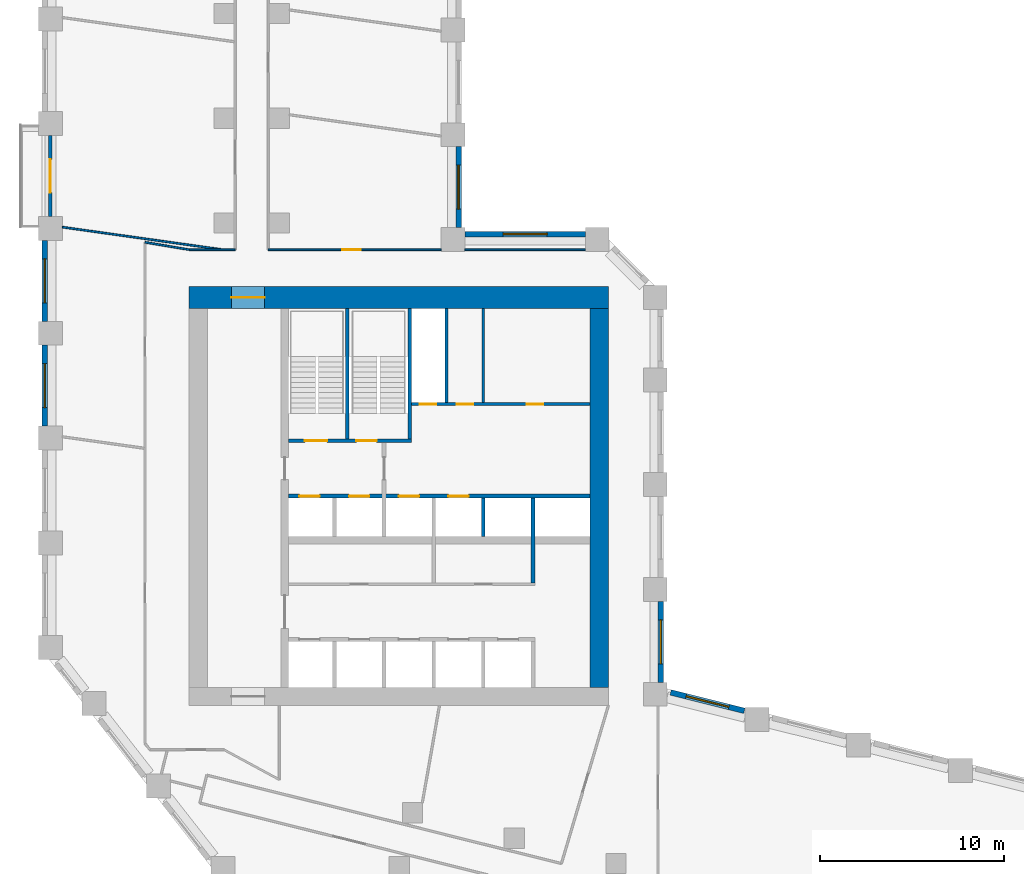
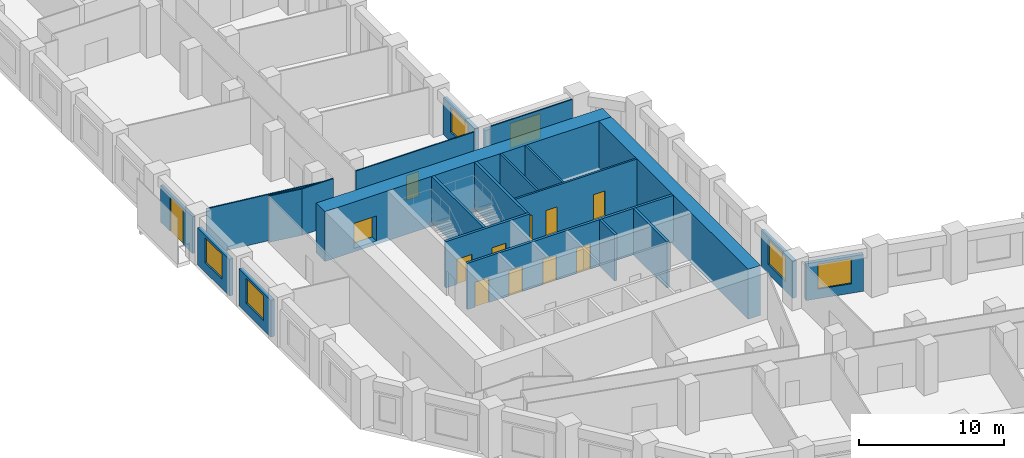
# One storey, part 5 of 10: 23 walls, 12 doors, 6 windows, 18 openings.
"""IFC4 building model written with IfcOpenShell, lengths in metres."""

from ifc_helpers import new_model, si_unit, direction, frame, frame_2d, origin, place, context, subcontext, project, spatial, rectangle, extrude, material, layer, layer_set, type_object, element, fill, save


model = new_model("IFC4")

# Units and contexts
model_context = context("Model", 3, precision=1e-05, world=origin(), true_north=direction((0.0, 1.0)))
body_context = subcontext(model_context, "Body", "Model", "MODEL_VIEW")
ifc_project = project(units=[si_unit("LENGTHUNIT", "METRE"), si_unit("AREAUNIT", "SQUARE_METRE"), si_unit("VOLUMEUNIT", "CUBIC_METRE"), si_unit("PLANEANGLEUNIT", "RADIAN"), si_unit("MASSUNIT", "GRAM", prefix="KILO")], contexts=[model_context])

# Site, building, storey
site_placement = place(None, origin())
site = spatial("IfcSite", under=ifc_project, at=site_placement, CompositionType="ELEMENT")
building_placement = place(site_placement, origin())
building = spatial("IfcBuilding", under=site, at=building_placement, Name="Meshkara Civic Tower", CompositionType="ELEMENT")
storey_placement = place(building_placement, frame((0.0, 0.0, 109.800048828125)))
storey = spatial("IfcBuildingStorey", under=building, at=storey_placement, Name="L24", CompositionType="ELEMENT", Elevation=109.800048828125)

# Wall, openings, doors
ifc_material_1 = material(Name="Blockwork", Category="masonry")
ifc_layer_1 = layer(ifc_material_1, 0.14990234375)
ifc_layer_set_1 = layer_set([ifc_layer_1], Name="Core partition 150")
wall_type_1 = type_object("IfcWallType", Name="Core partition 150", PredefinedType="PARTITIONING", material=ifc_layer_set_1)
wall_1_placement = place(storey_placement, frame((20.10009765625, 30.5, 0.0), z_axis=(0.0, 0.0, 1.0), x_axis=(1.0, 0.0, 0.0)))
wall_1 = element("IfcWall", 1, at=wall_1_placement, inside=storey, type_object=wall_type_1, Name="L24-C010", PredefinedType="PARTITIONING", context=body_context, shape_type="SweptSolid", body=[
    extrude(rectangle(XDim=9.699951171875, YDim=0.14990234375, at=frame_2d((4.85009765625, 0.0))), origin(), (0.0, 0.0, 1.0), 3.89990234375),
])
opening_1_placement = place(wall_1_placement, frame((0.449951171875, 0.0, 0.0)))
opening_1 = element("IfcOpeningElement", 2, at=opening_1_placement, cuts=wall_1, Name="Opening L24-K012", PredefinedType="OPENING", context=body_context, shape_type="SweptSolid", body=[
    extrude(rectangle(XDim=0.89990234375, YDim=2.10009765625, at=frame_2d((0.449951171875, 1.050048828125))), frame((0.0, 0.0849609375, 0.0), z_axis=(0.0, -1.0, 0.0), x_axis=(1.0, 0.0, 0.0)), (0.0, 0.0, 1.0), 0.169921875),
])
opening_2_placement = place(wall_1_placement, frame((2.449951171875, 0.0, 0.0)))
opening_2 = element("IfcOpeningElement", 3, at=opening_2_placement, cuts=wall_1, Name="Opening L24-K013", PredefinedType="OPENING", context=body_context, shape_type="SweptSolid", body=[
    extrude(rectangle(XDim=0.89990234375, YDim=2.10009765625, at=frame_2d((0.449951171875, 1.050048828125))), frame((0.0, 0.0849609375, 0.0), z_axis=(0.0, -1.0, 0.0), x_axis=(1.0, 0.0, 0.0)), (0.0, 0.0, 1.0), 0.169921875),
])
opening_3_placement = place(wall_1_placement, frame((6.25, 0.0, 0.0)))
opening_3 = element("IfcOpeningElement", 4, at=opening_3_placement, cuts=wall_1, Name="Opening L24-K014", PredefinedType="OPENING", context=body_context, shape_type="SweptSolid", body=[
    extrude(rectangle(XDim=0.89990234375, YDim=2.10009765625, at=frame_2d((0.449951171875, 1.050048828125))), frame((0.0, 0.0849609375, 0.0), z_axis=(0.0, -1.0, 0.0), x_axis=(1.0, 0.0, 0.0)), (0.0, 0.0, 1.0), 0.169921875),
])
ifc_material_2 = material(Name="Timber door leaf in steel frame", Category="steel")
door_type_1 = type_object("IfcDoorType", Name="Core room door 900", OperationType="SINGLE_SWING_LEFT", PredefinedType="DOOR", material=ifc_material_2)
door_1_placement = place(opening_3_placement, origin())
door_1 = element("IfcDoor", 5, at=door_1_placement, inside=storey, type_object=door_type_1, Name="L24-K014", OperationType="SINGLE_SWING_RIGHT", OverallHeight=2.10009765625, OverallWidth=0.89990234375, PredefinedType="DOOR", context=body_context, shape_type="SweptSolid", body=[
    extrude(rectangle(XDim=0.89990234375, YDim=2.10009765625, at=frame_2d((0.449951171875, 1.050048828125))), frame((0.0, 0.02490234375, 0.0), z_axis=(0.0, -1.0, 0.0), x_axis=(1.0, 0.0, 0.0)), (0.0, 0.0, 1.0), 0.050048828125),
])
fill(opening_3, door_1)
ifc_material_3 = material(Name="Fire-rated door leaf in steel frame", Category="steel")
door_type_2 = type_object("IfcDoorType", Name="Riser door 900", OperationType="SINGLE_SWING_LEFT", PredefinedType="DOOR", material=ifc_material_3)
door_2_placement = place(opening_1_placement, origin())
door_2 = element("IfcDoor", 6, at=door_2_placement, inside=storey, type_object=door_type_2, Name="L24-K012", OperationType="SINGLE_SWING_RIGHT", OverallHeight=2.10009765625, OverallWidth=0.89990234375, PredefinedType="DOOR", context=body_context, shape_type="SweptSolid", body=[
    extrude(rectangle(XDim=0.89990234375, YDim=2.10009765625, at=frame_2d((0.449951171875, 1.050048828125))), frame((0.0, 0.02490234375, 0.0), z_axis=(0.0, -1.0, 0.0), x_axis=(1.0, 0.0, 0.0)), (0.0, 0.0, 1.0), 0.050048828125),
])
fill(opening_1, door_2)
ifc_material_4 = material(Name="Timber door leaf in steel frame", Category="steel")
door_type_3 = type_object("IfcDoorType", Name="WC door 900", OperationType="SINGLE_SWING_LEFT", PredefinedType="DOOR", material=ifc_material_4)
door_3_placement = place(opening_2_placement, origin())
door_3 = element("IfcDoor", 7, at=door_3_placement, inside=storey, type_object=door_type_3, Name="L24-K013", OperationType="SINGLE_SWING_LEFT", OverallHeight=2.10009765625, OverallWidth=0.89990234375, PredefinedType="DOOR", context=body_context, shape_type="SweptSolid", body=[
    extrude(rectangle(XDim=0.89990234375, YDim=2.10009765625, at=frame_2d((0.449951171875, 1.050048828125))), frame((0.0, 0.02490234375, 0.0), z_axis=(0.0, -1.0, 0.0), x_axis=(1.0, 0.0, 0.0)), (0.0, 0.0, 1.0), 0.050048828125),
])
fill(opening_2, door_3)

# Walls
for number, where, z_axis, x_axis, name in (
    (8, (22.0, 30.574951171875, 0.0), (0.0, 0.0, 1.0), (0.0, 1.0, 0.0), "L24-C020"),
    (9, (24.0, 30.574951171875, 0.0), (0.0, 0.0, 1.0), (0.0, 1.0, 0.0), "L24-C023"),
):
    element("IfcWall", number, at=place(storey_placement, frame(where, z_axis=z_axis, x_axis=x_axis)), inside=storey, type_object=wall_type_1, Name=name, PredefinedType="PARTITIONING", context=body_context, shape_type="SweptSolid", body=[
        extrude(rectangle(XDim=5.125, YDim=0.14990234375, at=frame_2d((2.5625, 0.0))), origin(), (0.0, 0.0, 1.0), 3.89990234375),
    ])
ifc_material_5 = material(Name="Concrete C70", Category="concrete")
ifc_layer_2 = layer(ifc_material_5, 1.0)
ifc_layer_set_2 = layer_set([ifc_layer_2], Name="Core ring wall 1000 C70")
wall_type_2 = type_object("IfcWallType", Name="Core ring wall 1000 C70", PredefinedType="SHEAR", material=ifc_layer_set_2)
wall_2_placement = place(storey_placement, frame((30.300048828125, 15.10009765625, -0.300048828125), z_axis=(0.0, 0.0, 1.0), x_axis=(0.0, 1.0, 0.0)))
element("IfcWall", 10, at=wall_2_placement, inside=storey, type_object=wall_type_2, Name="L24-C004", PredefinedType="SHEAR", context=body_context, shape_type="SweptSolid", body=[
    extrude(rectangle(XDim=20.599853515625, YDim=1.0, at=frame_2d((10.2998046875, 0.0))), origin(), (0.0, 0.0, 1.0), 4.199951171875),
])

# Wall, opening, door
ifc_material_6 = material(Name="Concrete C70", Category="concrete")
ifc_layer_3 = layer(ifc_material_6, 1.199951171875)
ifc_layer_set_3 = layer_set([ifc_layer_3], Name="Core ring wall 1200 C70")
wall_type_3 = type_object("IfcWallType", Name="Core ring wall 1200 C70", PredefinedType="SHEAR", material=ifc_layer_set_3)
wall_3_placement = place(storey_placement, frame((8.0, 36.300048828125, -0.300048828125), z_axis=(0.0, 0.0, 1.0), x_axis=(1.0, 0.0, 0.0)))
wall_3 = element("IfcWall", 11, at=wall_3_placement, inside=storey, type_object=wall_type_3, Name="L24-C002", PredefinedType="SHEAR", context=body_context, shape_type="SweptSolid", body=[
    extrude(rectangle(XDim=22.800048828125, YDim=1.199951171875, at=frame_2d((11.39990234375, 0.0))), origin(), (0.0, 0.0, 1.0), 4.199951171875),
])
opening_4_placement = place(wall_3_placement, frame((2.300048828125, 0.0, 0.300048828125)))
opening_4 = element("IfcOpeningElement", 12, at=opening_4_placement, cuts=wall_3, Name="Opening L24-K020", PredefinedType="OPENING", context=body_context, shape_type="SweptSolid", body=[
    extrude(rectangle(XDim=1.800048828125, YDim=2.10009765625, at=frame_2d((0.89990234375, 1.050048828125))), frame((0.0, 0.60986328125, 0.0), z_axis=(0.0, -1.0, 0.0), x_axis=(1.0, 0.0, 0.0)), (0.0, 0.0, 1.0), 1.219970703125),
])
ifc_material_7 = material(Name="Fire-rated door leaf in steel frame", Category="steel")
door_type_4 = type_object("IfcDoorType", Name="Core double door 1800 EI 60", OperationType="DOUBLE_DOOR_SINGLE_SWING", PredefinedType="DOOR", material=ifc_material_7)
door_4_placement = place(opening_4_placement, origin())
door_4 = element("IfcDoor", 13, at=door_4_placement, inside=storey, type_object=door_type_4, Name="L24-K020", OperationType="DOUBLE_DOOR_SINGLE_SWING", OverallHeight=2.10009765625, OverallWidth=1.800048828125, PredefinedType="DOOR", context=body_context, shape_type="SweptSolid", body=[
    extrude(rectangle(XDim=1.800048828125, YDim=2.10009765625, at=frame_2d((0.89990234375, 1.050048828125))), frame((0.0, 0.02490234375, 0.0), z_axis=(0.0, -1.0, 0.0), x_axis=(1.0, 0.0, 0.0)), (0.0, 0.0, 1.0), 0.050048828125),
])
fill(opening_4, door_4)

# Walls
ifc_material_8 = material(Name="Corridor wall 100")
ifc_layer_4 = layer(ifc_material_8, 0.10009765625)
ifc_layer_set_4 = layer_set([ifc_layer_4], Name="Corridor wall 100")
wall_type_4 = type_object("IfcWallType", Name="Corridor wall 100", PredefinedType="PARTITIONING", material=ifc_layer_set_4)
wall_4_placement = place(storey_placement, frame((8.0, 38.89990234375, 0.0), z_axis=(0.0, 0.0, 1.0), x_axis=(1.0, 0.0, 0.0)))
element("IfcWall", 14, at=wall_4_placement, inside=storey, type_object=wall_type_4, Name="L24-W007", PredefinedType="PARTITIONING", context=body_context, shape_type="SweptSolid", body=[
    extrude(rectangle(XDim=2.5, YDim=0.10009765625, at=frame_2d((1.25, 0.0))), origin(), (0.0, 0.0, 1.0), 3.89990234375),
])
wall_5_placement = place(storey_placement, frame((8.0, 38.89990234375, 0.0), z_axis=(0.0, 0.0, 1.0), x_axis=(-0.986383073668, 0.16446407505, 0.0)))
element("IfcWall", 15, at=wall_5_placement, inside=storey, type_object=wall_type_4, Name="L24-W008", PredefinedType="PARTITIONING", context=body_context, shape_type="SweptSolid", body=[
    extrude(rectangle(XDim=2.43310546875, YDim=0.10009765625, at=frame_2d((1.216552734375, 0.0))), origin(), (0.0, 0.0, 1.0), 3.89990234375),
])

# Wall, opening, door
wall_6_placement = place(storey_placement, frame((21.699951171875, 38.89990234375, 0.0), z_axis=(0.0, 0.0, 1.0), x_axis=(-1.0, 0.0, 0.0)))
wall_6 = element("IfcWall", 16, at=wall_6_placement, inside=storey, type_object=wall_type_4, Name="L24-W019", PredefinedType="PARTITIONING", context=body_context, shape_type="SweptSolid", body=[
    extrude(rectangle(XDim=9.39990234375, YDim=0.10009765625, at=frame_2d((4.699951171875, 0.0))), origin(), (0.0, 0.0, 1.0), 3.89990234375),
])
opening_5_placement = place(wall_6_placement, frame((4.3798828125, 0.0, 0.0)))
opening_5 = element("IfcOpeningElement", 17, at=opening_5_placement, cuts=wall_6, Name="Opening L24-D017", PredefinedType="OPENING", context=body_context, shape_type="SweptSolid", body=[
    extrude(rectangle(XDim=1.0, YDim=2.10009765625, at=frame_2d((0.5, 1.050048828125))), frame((0.0, 0.06005859375, 0.0), z_axis=(0.0, -1.0, 0.0), x_axis=(1.0, 0.0, 0.0)), (0.0, 0.0, 1.0), 0.1201171875),
])
ifc_material_9 = material(Name="Door 1000 x 2100")
door_type_5 = type_object("IfcDoorType", Name="Door 1000 x 2100", OperationType="SINGLE_SWING_LEFT", PredefinedType="DOOR", material=ifc_material_9)
door_5_placement = place(opening_5_placement, origin())
door_5 = element("IfcDoor", 18, at=door_5_placement, inside=storey, type_object=door_type_5, Name="L24-D017", OperationType="SINGLE_SWING_LEFT", OverallHeight=2.10009765625, OverallWidth=1.0, PredefinedType="DOOR", context=body_context, shape_type="SweptSolid", body=[
    extrude(rectangle(XDim=1.0, YDim=2.10009765625, at=frame_2d((0.5, 1.050048828125))), frame((0.0, 0.02490234375, 0.0), z_axis=(0.0, -1.0, 0.0), x_axis=(1.0, 0.0, 0.0)), (0.0, 0.0, 1.0), 0.050048828125),
])
fill(opening_5, door_5)

# Wall
wall_7_placement = place(storey_placement, frame((29.5439453125, 38.89990234375, 0.0), z_axis=(0.0, 0.0, 1.0), x_axis=(-1.0, 0.0, 0.0)))
element("IfcWall", 19, at=wall_7_placement, inside=storey, type_object=wall_type_4, Name="L24-W020", PredefinedType="PARTITIONING", context=body_context, shape_type="SweptSolid", body=[
    extrude(rectangle(XDim=6.5439453125, YDim=0.10009765625, at=frame_2d((3.27197265625, 0.0))), origin(), (0.0, 0.0, 1.0), 3.89990234375),
])

# Wall, opening, window
ifc_material_10 = material(Name="Insulated infill panel with bronze anodised aluminium cladding", Category="aluminium")
ifc_layer_5 = layer(ifc_material_10, 0.300048828125)
ifc_layer_set_5 = layer_set([ifc_layer_5], Name="EXTERNAL INFILL WALL 300")
wall_type_5 = type_object("IfcWallType", Name="EXTERNAL INFILL WALL 300", PredefinedType="SOLIDWALL", material=ifc_layer_set_5)
wall_8_placement = place(storey_placement, frame((38.18896484375, 13.822021484375, 0.0), z_axis=(0.0, 0.0, 1.0), x_axis=(-0.970281616392, 0.241978480223, 0.0)))
wall_8 = element("IfcWall", 20, at=wall_8_placement, inside=storey, type_object=wall_type_5, Name="External wall", PredefinedType="SOLIDWALL", context=body_context, shape_type="SweptSolid", body=[
    extrude(rectangle(XDim=4.12451171875, YDim=0.300048828125, at=frame_2d((2.062255859375, 0.0))), origin(), (0.0, 0.0, 1.0), 3.099853515625),
])
opening_6_placement = place(wall_8_placement, frame((0.862060546875, 0.0, 0.800048828125)))
opening_6 = element("IfcOpeningElement", 21, at=opening_6_placement, cuts=wall_8, Name="Opening W7", PredefinedType="OPENING", context=body_context, shape_type="SweptSolid", body=[
    extrude(rectangle(XDim=2.39990234375, YDim=2.10009765625, at=frame_2d((1.199951171875, 1.050048828125))), frame((0.0, 0.159912109375, 0.0), z_axis=(0.0, -1.0, 0.0), x_axis=(1.0, 0.0, 0.0)), (0.0, 0.0, 1.0), 0.320068359375),
])
ifc_material_11 = material(Name="Tinted double glazing", Category="glass")
window_type = type_object("IfcWindowType", Name="WINDOW 2400x2100", PartitioningType="DOUBLE_PANEL_VERTICAL", PredefinedType="WINDOW", material=ifc_material_11)
window_1_placement = place(opening_6_placement, origin())
window_1 = element("IfcWindow", 22, at=window_1_placement, inside=storey, type_object=window_type, Name="Window", OverallHeight=2.10009765625, OverallWidth=2.39990234375, PartitioningType="DOUBLE_PANEL_VERTICAL", PredefinedType="WINDOW", context=body_context, shape_type="SweptSolid", body=[
    extrude(rectangle(XDim=2.39990234375, YDim=2.10009765625, at=frame_2d((1.199951171875, 1.050048828125))), frame((0.0, 0.030029296875, 0.0), z_axis=(0.0, -1.0, 0.0), x_axis=(1.0, 0.0, 0.0)), (0.0, 0.0, 1.0), 0.06005859375),
])
fill(opening_6, window_1)

wall_9_placement = place(storey_placement, frame((33.64990234375, 15.368896484375, 0.0), z_axis=(0.0, 0.0, 1.0), x_axis=(0.0, 1.0, 0.0)))
wall_9 = element("IfcWall", 23, at=wall_9_placement, inside=storey, type_object=wall_type_5, Name="External wall", PredefinedType="SOLIDWALL", context=body_context, shape_type="SweptSolid", body=[
    extrude(rectangle(XDim=4.400146484375, YDim=0.300048828125, at=frame_2d((2.2001953125, 0.0))), origin(), (0.0, 0.0, 1.0), 3.099853515625),
])
opening_7_placement = place(wall_9_placement, frame((1.0, 0.0, 0.800048828125)))
opening_7 = element("IfcOpeningElement", 24, at=opening_7_placement, cuts=wall_9, Name="Opening W7", PredefinedType="OPENING", context=body_context, shape_type="SweptSolid", body=[
    extrude(rectangle(XDim=2.39990234375, YDim=2.10009765625, at=frame_2d((1.199951171875, 1.050048828125))), frame((0.0, 0.159912109375, 0.0), z_axis=(0.0, -1.0, 0.0), x_axis=(1.0, 0.0, 0.0)), (0.0, 0.0, 1.0), 0.320068359375),
])
window_2_placement = place(opening_7_placement, origin())
window_2 = element("IfcWindow", 25, at=window_2_placement, inside=storey, type_object=window_type, Name="Window", OverallHeight=2.10009765625, OverallWidth=2.39990234375, PartitioningType="DOUBLE_PANEL_VERTICAL", PredefinedType="WINDOW", context=body_context, shape_type="SweptSolid", body=[
    extrude(rectangle(XDim=2.39990234375, YDim=2.10009765625, at=frame_2d((1.199951171875, 1.050048828125))), frame((0.0, 0.030029296875, 0.0), z_axis=(0.0, -1.0, 0.0), x_axis=(1.0, 0.0, 0.0)), (0.0, 0.0, 1.0), 0.06005859375),
])
fill(opening_7, window_2)

wall_10_placement = place(storey_placement, frame((29.5439453125, 39.75, 0.0), z_axis=(0.0, 0.0, 1.0), x_axis=(-1.0, 0.0, 0.0)))
wall_10 = element("IfcWall", 26, at=wall_10_placement, inside=storey, type_object=wall_type_5, Name="External wall", PredefinedType="SOLIDWALL", context=body_context, shape_type="SweptSolid", body=[
    extrude(rectangle(XDim=6.5439453125, YDim=0.300048828125, at=frame_2d((3.27197265625, 0.0))), origin(), (0.0, 0.0, 1.0), 3.099853515625),
])
opening_8_placement = place(wall_10_placement, frame((2.072021484375, 0.0, 0.800048828125)))
opening_8 = element("IfcOpeningElement", 27, at=opening_8_placement, cuts=wall_10, Name="Opening W7", PredefinedType="OPENING", context=body_context, shape_type="SweptSolid", body=[
    extrude(rectangle(XDim=2.39990234375, YDim=2.10009765625, at=frame_2d((1.199951171875, 1.050048828125))), frame((0.0, 0.159912109375, 0.0), z_axis=(0.0, -1.0, 0.0), x_axis=(1.0, 0.0, 0.0)), (0.0, 0.0, 1.0), 0.320068359375),
])
window_3_placement = place(opening_8_placement, origin())
window_3 = element("IfcWindow", 28, at=window_3_placement, inside=storey, type_object=window_type, Name="Window", OverallHeight=2.10009765625, OverallWidth=2.39990234375, PartitioningType="DOUBLE_PANEL_VERTICAL", PredefinedType="WINDOW", context=body_context, shape_type="SweptSolid", body=[
    extrude(rectangle(XDim=2.39990234375, YDim=2.10009765625, at=frame_2d((1.199951171875, 1.050048828125))), frame((0.0, 0.030029296875, 0.0), z_axis=(0.0, -1.0, 0.0), x_axis=(1.0, 0.0, 0.0)), (0.0, 0.0, 1.0), 0.06005859375),
])
fill(opening_8, window_3)

wall_11_placement = place(storey_placement, frame((22.64990234375, 40.10009765625, 0.0), z_axis=(0.0, 0.0, 1.0), x_axis=(0.0, 1.0, 0.0)))
wall_11 = element("IfcWall", 29, at=wall_11_placement, inside=storey, type_object=wall_type_5, Name="External wall", PredefinedType="SOLIDWALL", context=body_context, shape_type="SweptSolid", body=[
    extrude(rectangle(XDim=4.39990234375, YDim=0.300048828125, at=frame_2d((2.199951171875, 0.0))), origin(), (0.0, 0.0, 1.0), 3.099853515625),
])
opening_9_placement = place(wall_11_placement, frame((1.0, 0.0, 0.800048828125)))
opening_9 = element("IfcOpeningElement", 30, at=opening_9_placement, cuts=wall_11, Name="Opening W7", PredefinedType="OPENING", context=body_context, shape_type="SweptSolid", body=[
    extrude(rectangle(XDim=2.39990234375, YDim=2.10009765625, at=frame_2d((1.199951171875, 1.050048828125))), frame((0.0, 0.159912109375, 0.0), z_axis=(0.0, -1.0, 0.0), x_axis=(1.0, 0.0, 0.0)), (0.0, 0.0, 1.0), 0.320068359375),
])
window_4_placement = place(opening_9_placement, origin())
window_4 = element("IfcWindow", 31, at=window_4_placement, inside=storey, type_object=window_type, Name="Window", OverallHeight=2.10009765625, OverallWidth=2.39990234375, PartitioningType="DOUBLE_PANEL_VERTICAL", PredefinedType="WINDOW", context=body_context, shape_type="SweptSolid", body=[
    extrude(rectangle(XDim=2.39990234375, YDim=2.10009765625, at=frame_2d((1.199951171875, 1.050048828125))), frame((0.0, 0.030029296875, 0.0), z_axis=(0.0, -1.0, 0.0), x_axis=(1.0, 0.0, 0.0)), (0.0, 0.0, 1.0), 0.06005859375),
])
fill(opening_9, window_4)

wall_12_placement = place(storey_placement, frame((0.14990234375, 39.405029296875, 0.0), z_axis=(0.0, 0.0, 1.0), x_axis=(0.0, -1.0, 0.0)))
wall_12 = element("IfcWall", 32, at=wall_12_placement, inside=storey, type_object=wall_type_5, Name="External wall", PredefinedType="SOLIDWALL", context=body_context, shape_type="SweptSolid", body=[
    extrude(rectangle(XDim=4.400146484375, YDim=0.300048828125, at=frame_2d((2.2001953125, 0.0))), origin(), (0.0, 0.0, 1.0), 3.099853515625),
])
opening_10_placement = place(wall_12_placement, frame((1.0, 0.0, 0.800048828125)))
opening_10 = element("IfcOpeningElement", 33, at=opening_10_placement, cuts=wall_12, Name="Opening W7", PredefinedType="OPENING", context=body_context, shape_type="SweptSolid", body=[
    extrude(rectangle(XDim=2.39990234375, YDim=2.10009765625, at=frame_2d((1.199951171875, 1.050048828125))), frame((0.0, 0.159912109375, 0.0), z_axis=(0.0, -1.0, 0.0), x_axis=(1.0, 0.0, 0.0)), (0.0, 0.0, 1.0), 0.320068359375),
])
window_5_placement = place(opening_10_placement, origin())
window_5 = element("IfcWindow", 34, at=window_5_placement, inside=storey, type_object=window_type, Name="Window", OverallHeight=2.10009765625, OverallWidth=2.39990234375, PartitioningType="DOUBLE_PANEL_VERTICAL", PredefinedType="WINDOW", context=body_context, shape_type="SweptSolid", body=[
    extrude(rectangle(XDim=2.39990234375, YDim=2.10009765625, at=frame_2d((1.199951171875, 1.050048828125))), frame((0.0, 0.030029296875, 0.0), z_axis=(0.0, -1.0, 0.0), x_axis=(1.0, 0.0, 0.0)), (0.0, 0.0, 1.0), 0.06005859375),
])
fill(opening_10, window_5)

wall_13_placement = place(storey_placement, frame((0.14990234375, 33.705078125, 0.0), z_axis=(0.0, 0.0, 1.0), x_axis=(0.0, -1.0, 0.0)))
wall_13 = element("IfcWall", 35, at=wall_13_placement, inside=storey, type_object=wall_type_5, Name="External wall", PredefinedType="SOLIDWALL", context=body_context, shape_type="SweptSolid", body=[
    extrude(rectangle(XDim=4.400146484375, YDim=0.300048828125, at=frame_2d((2.2001953125, 0.0))), origin(), (0.0, 0.0, 1.0), 3.099853515625),
])
opening_11_placement = place(wall_13_placement, frame((1.0, 0.0, 0.800048828125)))
opening_11 = element("IfcOpeningElement", 36, at=opening_11_placement, cuts=wall_13, Name="Opening W7", PredefinedType="OPENING", context=body_context, shape_type="SweptSolid", body=[
    extrude(rectangle(XDim=2.39990234375, YDim=2.10009765625, at=frame_2d((1.199951171875, 1.050048828125))), frame((0.0, 0.159912109375, 0.0), z_axis=(0.0, -1.0, 0.0), x_axis=(1.0, 0.0, 0.0)), (0.0, 0.0, 1.0), 0.320068359375),
])
window_6_placement = place(opening_11_placement, origin())
window_6 = element("IfcWindow", 37, at=window_6_placement, inside=storey, type_object=window_type, Name="Window", OverallHeight=2.10009765625, OverallWidth=2.39990234375, PartitioningType="DOUBLE_PANEL_VERTICAL", PredefinedType="WINDOW", context=body_context, shape_type="SweptSolid", body=[
    extrude(rectangle(XDim=2.39990234375, YDim=2.10009765625, at=frame_2d((1.199951171875, 1.050048828125))), frame((0.0, 0.030029296875, 0.0), z_axis=(0.0, -1.0, 0.0), x_axis=(1.0, 0.0, 0.0)), (0.0, 0.0, 1.0), 0.06005859375),
])
fill(opening_11, window_6)

# Wall, opening, door
ifc_material_12 = material(Name="Insulated infill panel with bronze anodised aluminium cladding", Category="aluminium")
ifc_layer_6 = layer(ifc_material_12, 0.199951171875)
ifc_layer_set_6 = layer_set([ifc_layer_6], Name="LOGGIA BACK WALL 200")
wall_type_6 = type_object("IfcWallType", Name="LOGGIA BACK WALL 200", PredefinedType="SOLIDWALL", material=ifc_layer_set_6)
wall_14_placement = place(storey_placement, frame((0.449951171875, 45.10498046875, 0.0), z_axis=(0.0, 0.0, 1.0), x_axis=(0.0, -1.0, 0.0)))
wall_14 = element("IfcWall", 38, at=wall_14_placement, inside=storey, type_object=wall_type_6, Name="Loggia wall", PredefinedType="SOLIDWALL", context=body_context, shape_type="SweptSolid", body=[
    extrude(rectangle(XDim=4.39892578125, YDim=0.199951171875, at=frame_2d((2.199462890625, 0.0))), origin(), (0.0, 0.0, 1.0), 3.099853515625),
])
opening_12_placement = place(wall_14_placement, frame((1.300048828125, 0.0, 0.0)))
opening_12 = element("IfcOpeningElement", 39, at=opening_12_placement, cuts=wall_14, Name="Opening L24-L001", PredefinedType="OPENING", context=body_context, shape_type="SweptSolid", body=[
    extrude(rectangle(XDim=1.800048828125, YDim=2.89990234375, at=frame_2d((0.89990234375, 1.449951171875))), frame((0.0, 0.10986328125, 0.0), z_axis=(0.0, -1.0, 0.0), x_axis=(1.0, 0.0, 0.0)), (0.0, 0.0, 1.0), 0.219970703125),
])
ifc_material_13 = material(Name="Tinted double glazing", Category="glass")
door_type_6 = type_object("IfcDoorType", Name="LOGGIA DOOR 1800x2900", OperationType="DOUBLE_DOOR_SINGLE_SWING", PredefinedType="DOOR", material=ifc_material_13)
door_6_placement = place(opening_12_placement, origin())
door_6 = element("IfcDoor", 40, at=door_6_placement, inside=storey, type_object=door_type_6, Name="L24-L001", OperationType="DOUBLE_DOOR_SINGLE_SWING", OverallHeight=2.89990234375, OverallWidth=1.800048828125, PredefinedType="DOOR", context=body_context, shape_type="SweptSolid", body=[
    extrude(rectangle(XDim=1.800048828125, YDim=2.89990234375, at=frame_2d((0.89990234375, 1.449951171875))), frame((0.0, 0.02490234375, 0.0), z_axis=(0.0, -1.0, 0.0), x_axis=(1.0, 0.0, 0.0)), (0.0, 0.0, 1.0), 0.050048828125),
])
fill(opening_12, door_6)

# Wall
ifc_material_14 = material(Name="Partition 100")
ifc_layer_7 = layer(ifc_material_14, 0.10009765625)
ifc_layer_set_7 = layer_set([ifc_layer_7], Name="Partition 100")
wall_type_7 = type_object("IfcWallType", Name="Partition 100", PredefinedType="PARTITIONING", material=ifc_layer_set_7)
wall_15_placement = place(storey_placement, frame((9.820068359375, 38.89990234375, 0.0), z_axis=(0.0, 0.0, 1.0), x_axis=(-0.990259266872, 0.139235715156, 0.0)))
element("IfcWall", 41, at=wall_15_placement, inside=storey, type_object=wall_type_7, Name="L24-W035", PredefinedType="PARTITIONING", context=body_context, shape_type="SweptSolid", body=[
    extrude(rectangle(XDim=8.8056640625, YDim=0.10009765625, at=frame_2d((4.40283203125, 0.0))), origin(), (0.0, 0.0, 1.0), 3.89990234375),
])

# Wall, openings, doors
ifc_material_15 = material(Name="Concrete C40/50", Category="concrete")
ifc_layer_8 = layer(ifc_material_15, 0.199951171875)
ifc_layer_set_8 = layer_set([ifc_layer_8], Name="Shaft wall 200 C40/50")
wall_type_8 = type_object("IfcWallType", Name="Shaft wall 200 C40/50", PredefinedType="SOLIDWALL", material=ifc_layer_set_8)
wall_16_placement = place(storey_placement, frame((13.39990234375, 25.5, 0.0), z_axis=(0.0, 0.0, 1.0), x_axis=(1.0, 0.0, 0.0)))
wall_16 = element("IfcWall", 42, at=wall_16_placement, inside=storey, type_object=wall_type_8, Name="L24-C008", PredefinedType="SOLIDWALL", context=body_context, shape_type="SweptSolid", body=[
    extrude(rectangle(XDim=16.400146484375, YDim=0.199951171875, at=frame_2d((8.2001953125, 0.0))), origin(), (0.0, 0.0, 1.0), 3.89990234375),
])
opening_13_placement = place(wall_16_placement, frame((0.60009765625, 0.0, 0.0)))
opening_13 = element("IfcOpeningElement", 43, at=opening_13_placement, cuts=wall_16, Name="Opening L24-K006", PredefinedType="OPENING", context=body_context, shape_type="SweptSolid", body=[
    extrude(rectangle(XDim=1.10009765625, YDim=2.10009765625, at=frame_2d((0.550048828125, 1.050048828125))), frame((0.0, 0.10986328125, 0.0), z_axis=(0.0, -1.0, 0.0), x_axis=(1.0, 0.0, 0.0)), (0.0, 0.0, 1.0), 0.219970703125),
])
opening_14_placement = place(wall_16_placement, frame((3.300048828125, 0.0, 0.0)))
opening_14 = element("IfcOpeningElement", 44, at=opening_14_placement, cuts=wall_16, Name="Opening L24-K007", PredefinedType="OPENING", context=body_context, shape_type="SweptSolid", body=[
    extrude(rectangle(XDim=1.10009765625, YDim=2.10009765625, at=frame_2d((0.550048828125, 1.050048828125))), frame((0.0, 0.10986328125, 0.0), z_axis=(0.0, -1.0, 0.0), x_axis=(1.0, 0.0, 0.0)), (0.0, 0.0, 1.0), 0.219970703125),
])
opening_15_placement = place(wall_16_placement, frame((6.0, 0.0, 0.0)))
opening_15 = element("IfcOpeningElement", 45, at=opening_15_placement, cuts=wall_16, Name="Opening L24-K008", PredefinedType="OPENING", context=body_context, shape_type="SweptSolid", body=[
    extrude(rectangle(XDim=1.10009765625, YDim=2.10009765625, at=frame_2d((0.550048828125, 1.050048828125))), frame((0.0, 0.10986328125, 0.0), z_axis=(0.0, -1.0, 0.0), x_axis=(1.0, 0.0, 0.0)), (0.0, 0.0, 1.0), 0.219970703125),
])
opening_16_placement = place(wall_16_placement, frame((8.699951171875, 0.0, 0.0)))
opening_16 = element("IfcOpeningElement", 46, at=opening_16_placement, cuts=wall_16, Name="Opening L24-K009", PredefinedType="OPENING", context=body_context, shape_type="SweptSolid", body=[
    extrude(rectangle(XDim=1.10009765625, YDim=2.10009765625, at=frame_2d((0.550048828125, 1.050048828125))), frame((0.0, 0.10986328125, 0.0), z_axis=(0.0, -1.0, 0.0), x_axis=(1.0, 0.0, 0.0)), (0.0, 0.0, 1.0), 0.219970703125),
])
ifc_material_16 = material(Name="Stainless steel landing door", Category="steel")
door_type_7 = type_object("IfcDoorType", Name="Lift landing door 1100", OperationType="SLIDING_TO_LEFT", PredefinedType="DOOR", material=ifc_material_16)
door_7_placement = place(opening_13_placement, origin())
door_7 = element("IfcDoor", 47, at=door_7_placement, inside=storey, type_object=door_type_7, Name="L24-K006", OperationType="SLIDING_TO_LEFT", OverallHeight=2.10009765625, OverallWidth=1.10009765625, PredefinedType="DOOR", context=body_context, shape_type="SweptSolid", body=[
    extrude(rectangle(XDim=1.10009765625, YDim=2.10009765625, at=frame_2d((0.550048828125, 1.050048828125))), frame((0.0, 0.02490234375, 0.0), z_axis=(0.0, -1.0, 0.0), x_axis=(1.0, 0.0, 0.0)), (0.0, 0.0, 1.0), 0.050048828125),
])
fill(opening_13, door_7)
door_8_placement = place(opening_14_placement, origin())
door_8 = element("IfcDoor", 48, at=door_8_placement, inside=storey, type_object=door_type_7, Name="L24-K007", OperationType="SLIDING_TO_LEFT", OverallHeight=2.10009765625, OverallWidth=1.10009765625, PredefinedType="DOOR", context=body_context, shape_type="SweptSolid", body=[
    extrude(rectangle(XDim=1.10009765625, YDim=2.10009765625, at=frame_2d((0.550048828125, 1.050048828125))), frame((0.0, 0.02490234375, 0.0), z_axis=(0.0, -1.0, 0.0), x_axis=(1.0, 0.0, 0.0)), (0.0, 0.0, 1.0), 0.050048828125),
])
fill(opening_14, door_8)
door_9_placement = place(opening_15_placement, origin())
door_9 = element("IfcDoor", 49, at=door_9_placement, inside=storey, type_object=door_type_7, Name="L24-K008", OperationType="SLIDING_TO_LEFT", OverallHeight=2.10009765625, OverallWidth=1.10009765625, PredefinedType="DOOR", context=body_context, shape_type="SweptSolid", body=[
    extrude(rectangle(XDim=1.10009765625, YDim=2.10009765625, at=frame_2d((0.550048828125, 1.050048828125))), frame((0.0, 0.02490234375, 0.0), z_axis=(0.0, -1.0, 0.0), x_axis=(1.0, 0.0, 0.0)), (0.0, 0.0, 1.0), 0.050048828125),
])
fill(opening_15, door_9)
door_10_placement = place(opening_16_placement, origin())
door_10 = element("IfcDoor", 50, at=door_10_placement, inside=storey, type_object=door_type_7, Name="L24-K009", OperationType="SLIDING_TO_LEFT", OverallHeight=2.10009765625, OverallWidth=1.10009765625, PredefinedType="DOOR", context=body_context, shape_type="SweptSolid", body=[
    extrude(rectangle(XDim=1.10009765625, YDim=2.10009765625, at=frame_2d((0.550048828125, 1.050048828125))), frame((0.0, 0.02490234375, 0.0), z_axis=(0.0, -1.0, 0.0), x_axis=(1.0, 0.0, 0.0)), (0.0, 0.0, 1.0), 0.050048828125),
])
fill(opening_16, door_10)

# Walls
wall_17_placement = place(storey_placement, frame((24.0, 23.300048828125, 0.0), z_axis=(0.0, 0.0, 1.0), x_axis=(0.0, 1.0, 0.0)))
element("IfcWall", 51, at=wall_17_placement, inside=storey, type_object=wall_type_8, Name="L24-C022", PredefinedType="SOLIDWALL", context=body_context, shape_type="SweptSolid", body=[
    extrude(rectangle(XDim=2.099853515625, YDim=0.199951171875, at=frame_2d((1.0498046875, 0.0))), origin(), (0.0, 0.0, 1.0), 3.89990234375),
])
wall_18_placement = place(storey_placement, frame((26.699951171875, 20.77490234375, 0.0), z_axis=(0.0, 0.0, 1.0), x_axis=(0.0, 1.0, 0.0)))
element("IfcWall", 52, at=wall_18_placement, inside=storey, type_object=wall_type_8, Name="L24-C025", PredefinedType="SOLIDWALL", context=body_context, shape_type="SweptSolid", body=[
    extrude(rectangle(XDim=4.625, YDim=0.199951171875, at=frame_2d((2.3125, 0.0))), origin(), (0.0, 0.0, 1.0), 3.89990234375),
])

# Wall, openings, doors
ifc_material_17 = material(Name="Concrete C40/50", Category="concrete")
ifc_layer_9 = layer(ifc_material_17, 0.199951171875)
ifc_layer_set_9 = layer_set([ifc_layer_9], Name="Stair enclosure wall 200 C40/50")
wall_type_9 = type_object("IfcWallType", Name="Stair enclosure wall 200 C40/50", PredefinedType="SOLIDWALL", material=ifc_layer_set_9)
wall_19_placement = place(storey_placement, frame((13.39990234375, 28.5, 0.0), z_axis=(0.0, 0.0, 1.0), x_axis=(1.0, 0.0, 0.0)))
wall_19 = element("IfcWall", 53, at=wall_19_placement, inside=storey, type_object=wall_type_9, Name="L24-C009", PredefinedType="SOLIDWALL", context=body_context, shape_type="SweptSolid", body=[
    extrude(rectangle(XDim=6.7001953125, YDim=0.199951171875, at=frame_2d((3.35009765625, 0.0))), origin(), (0.0, 0.0, 1.0), 3.89990234375),
])
opening_17_placement = place(wall_19_placement, frame((0.89990234375, 0.0, 0.0)))
opening_17 = element("IfcOpeningElement", 54, at=opening_17_placement, cuts=wall_19, Name="Opening L24-K015", PredefinedType="OPENING", context=body_context, shape_type="SweptSolid", body=[
    extrude(rectangle(XDim=1.199951171875, YDim=2.10009765625, at=frame_2d((0.60009765625, 1.050048828125))), frame((0.0, 0.10986328125, 0.0), z_axis=(0.0, -1.0, 0.0), x_axis=(1.0, 0.0, 0.0)), (0.0, 0.0, 1.0), 0.219970703125),
])
opening_18_placement = place(wall_19_placement, frame((3.699951171875, 0.0, 0.0)))
opening_18 = element("IfcOpeningElement", 55, at=opening_18_placement, cuts=wall_19, Name="Opening L24-K016", PredefinedType="OPENING", context=body_context, shape_type="SweptSolid", body=[
    extrude(rectangle(XDim=1.10009765625, YDim=2.10009765625, at=frame_2d((0.550048828125, 1.050048828125))), frame((0.0, 0.10986328125, 0.0), z_axis=(0.0, -1.0, 0.0), x_axis=(1.0, 0.0, 0.0)), (0.0, 0.0, 1.0), 0.219970703125),
])
ifc_material_18 = material(Name="Fire-rated door leaf in steel frame", Category="steel")
door_type_8 = type_object("IfcDoorType", Name="Stair door 1100 EI 120", OperationType="SINGLE_SWING_LEFT", PredefinedType="DOOR", material=ifc_material_18)
door_11_placement = place(opening_18_placement, origin())
door_11 = element("IfcDoor", 56, at=door_11_placement, inside=storey, type_object=door_type_8, Name="L24-K016", OperationType="SINGLE_SWING_LEFT", OverallHeight=2.10009765625, OverallWidth=1.10009765625, PredefinedType="DOOR", context=body_context, shape_type="SweptSolid", body=[
    extrude(rectangle(XDim=1.10009765625, YDim=2.10009765625, at=frame_2d((0.550048828125, 1.050048828125))), frame((0.0, 0.02490234375, 0.0), z_axis=(0.0, -1.0, 0.0), x_axis=(1.0, 0.0, 0.0)), (0.0, 0.0, 1.0), 0.050048828125),
])
fill(opening_18, door_11)
ifc_material_19 = material(Name="Fire-rated door leaf in steel frame", Category="steel")
door_type_9 = type_object("IfcDoorType", Name="Stair door 1200 EI 120", OperationType="SINGLE_SWING_LEFT", PredefinedType="DOOR", material=ifc_material_19)
door_12_placement = place(opening_17_placement, origin())
door_12 = element("IfcDoor", 57, at=door_12_placement, inside=storey, type_object=door_type_9, Name="L24-K015", OperationType="SINGLE_SWING_RIGHT", OverallHeight=2.10009765625, OverallWidth=1.199951171875, PredefinedType="DOOR", context=body_context, shape_type="SweptSolid", body=[
    extrude(rectangle(XDim=1.199951171875, YDim=2.10009765625, at=frame_2d((0.60009765625, 1.050048828125))), frame((0.0, 0.02490234375, 0.0), z_axis=(0.0, -1.0, 0.0), x_axis=(1.0, 0.0, 0.0)), (0.0, 0.0, 1.0), 0.050048828125),
])
fill(opening_17, door_12)

# Walls
for number, where, z_axis, x_axis, name in (
    (58, (16.60009765625, 28.60009765625, 0.0), (0.0, 0.0, 1.0), (0.0, 1.0, 0.0), "L24-C014"),
    (59, (20.0, 28.60009765625, 0.0), (0.0, 0.0, 1.0), (0.0, 1.0, 0.0), "L24-C017"),
):
    element("IfcWall", number, at=place(storey_placement, frame(where, z_axis=z_axis, x_axis=x_axis)), inside=storey, type_object=wall_type_9, Name=name, PredefinedType="SOLIDWALL", context=body_context, shape_type="SweptSolid", body=[
        extrude(rectangle(XDim=7.099853515625, YDim=0.199951171875, at=frame_2d((3.5498046875, 0.0))), origin(), (0.0, 0.0, 1.0), 3.89990234375),
    ])

save(model, "model.ifc")
